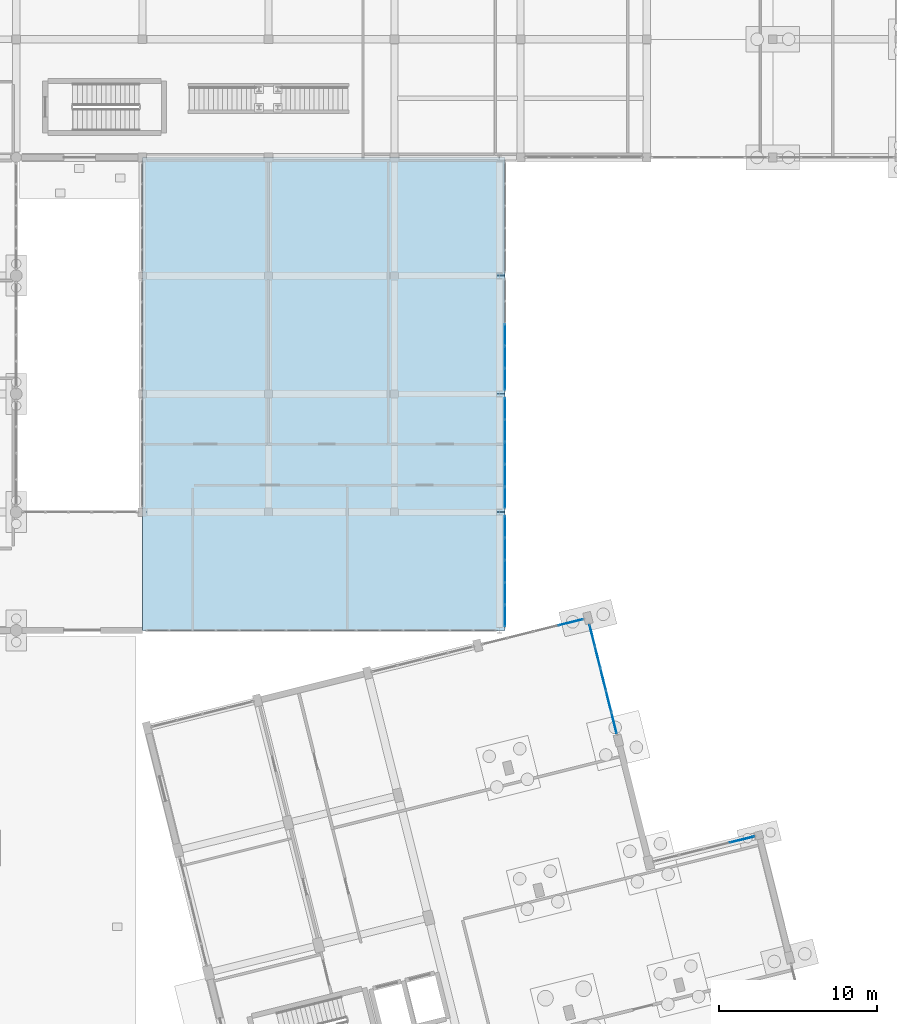
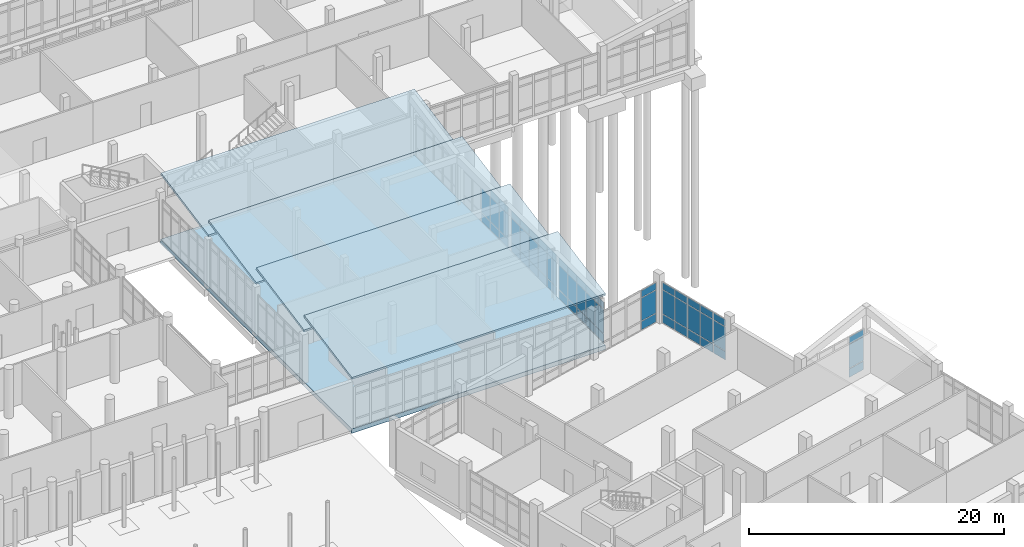
# One storey, part 143 of 173: 59 plates, 5 slabs, 6 elements without a shape of their own.
"""IFC4 building model written with IfcOpenShell, lengths in metres."""

from ifc_helpers import new_model, si_unit, direction, frame, origin, origin_2d, place, context, subcontext, project, spatial, polyline, rectangle, outline, extrude, material, layer, layer_set, type_object, element, aggregate, save


model = new_model("IFC4")

# Units and contexts
model_context = context("Model", 3, precision=1e-05, world=origin(), true_north=direction((0.0, 1.0)))
body_context = subcontext(model_context, "Body", "Model", "MODEL_VIEW")
ifc_project = project(units=[si_unit("LENGTHUNIT", "METRE"), si_unit("AREAUNIT", "SQUARE_METRE"), si_unit("VOLUMEUNIT", "CUBIC_METRE"), si_unit("PLANEANGLEUNIT", "RADIAN"), si_unit("MASSUNIT", "GRAM", prefix="KILO")], contexts=[model_context])

# Site, building, storey
site_placement = place(None, origin())
site = spatial("IfcSite", under=ifc_project, at=site_placement, CompositionType="ELEMENT")
building_placement = place(site_placement, origin())
building = spatial("IfcBuilding", under=site, at=building_placement, Name="Mawjan Specialist Oncology Clinic", CompositionType="ELEMENT")
storey_placement = place(building_placement, origin())
storey = spatial("IfcBuildingStorey", under=building, at=storey_placement, Name="L00", CompositionType="ELEMENT", Elevation=0.0)

# Curtain wall, plates
ifc_material_1 = material(Name="Unitised spectrally selective aluminium curtain wall", Category="aluminium")
ifc_layer_1 = layer(ifc_material_1, 0.179931640625, Name="Unitised spectrally selective aluminium curtain wall", Category="aluminium")
ifc_layer_set_1 = layer_set([ifc_layer_1], Name="Unitised spectrally selective aluminium curtain wall")
curtain_wall_type_1 = type_object("IfcCurtainWallType", Name="CW-19", PredefinedType="NOTDEFINED", material=ifc_layer_set_1)
curtain_wall_1_placement = place(storey_placement, origin())
curtain_wall_1 = element("IfcCurtainWall", 1, at=curtain_wall_1_placement, inside=storey, type_object=curtain_wall_type_1, Name="L00 Unitised Curtain Wall CW-L00-033", PredefinedType="NOTDEFINED")
ifc_material_2 = material(Name="Spectrally selective double low-E glazing", Category="glass")
ifc_layer_2 = layer(ifc_material_2, 0.035888671875, Name="Spectrally selective double low-E glazing", Category="glass")
ifc_layer_set_2 = layer_set([ifc_layer_2], Name="Spectrally selective double low-E glazing")
plate_type = type_object("IfcPlateType", Name="CW-P36", PredefinedType="CURTAIN_PANEL", material=ifc_layer_set_2)
plate_1_placement = place(storey_placement, frame((139.0, 64.550048828125, 0.06494140625), z_axis=(0.0, 0.0, 1.0), x_axis=(0.0, -1.0, 0.0)))
plate_1 = element("IfcPlate", 2, at=plate_1_placement, type_object=plate_type, Name="CW-19 panel 3.1", PredefinedType="CURTAIN_PANEL", context=body_context, shape_type="SweptSolid", body=[
    extrude(rectangle(XDim=1.35498046875, YDim=0.035888671875, at=origin_2d()), origin(), (0.0, 0.0, 1.0), 0.802490234375),
])
plate_2_placement = place(storey_placement, frame((139.0, 64.550048828125, 0.9326171875), z_axis=(0.0, 0.0, 1.0), x_axis=(0.0, -1.0, 0.0)))
plate_2 = element("IfcPlate", 3, at=plate_2_placement, type_object=plate_type, Name="CW-19 panel 3.2", PredefinedType="CURTAIN_PANEL", context=body_context, shape_type="SweptSolid", body=[
    extrude(rectangle(XDim=1.35498046875, YDim=0.035888671875, at=origin_2d()), origin(), (0.0, 0.0, 1.0), 2.302734375),
])
plate_3_placement = place(storey_placement, frame((139.0, 63.1298828125, 0.06494140625), z_axis=(0.0, 0.0, 1.0), x_axis=(0.0, -1.0, 0.0)))
plate_3 = element("IfcPlate", 4, at=plate_3_placement, type_object=plate_type, Name="CW-19 panel 4.1", PredefinedType="CURTAIN_PANEL", context=body_context, shape_type="SweptSolid", body=[
    extrude(rectangle(XDim=1.35498046875, YDim=0.035888671875, at=origin_2d()), origin(), (0.0, 0.0, 1.0), 0.802490234375),
])
plate_4_placement = place(storey_placement, frame((139.0, 63.1298828125, 0.9326171875), z_axis=(0.0, 0.0, 1.0), x_axis=(0.0, -1.0, 0.0)))
plate_4 = element("IfcPlate", 5, at=plate_4_placement, type_object=plate_type, Name="CW-19 panel 4.2", PredefinedType="CURTAIN_PANEL", context=body_context, shape_type="SweptSolid", body=[
    extrude(rectangle(XDim=1.35498046875, YDim=0.035888671875, at=origin_2d()), origin(), (0.0, 0.0, 1.0), 2.302734375),
])
plate_5_placement = place(storey_placement, frame((139.0, 63.1298828125, 3.30029296875), z_axis=(0.0, 0.0, 1.0), x_axis=(0.0, -1.0, 0.0)))
plate_5 = element("IfcPlate", 6, at=plate_5_placement, type_object=plate_type, Name="CW-19 panel 4.3", PredefinedType="CURTAIN_PANEL", context=body_context, shape_type="SweptSolid", body=[
    extrude(rectangle(XDim=1.35498046875, YDim=0.035888671875, at=origin_2d()), origin(), (0.0, 0.0, 1.0), 0.652587890625),
])
plate_6_placement = place(storey_placement, frame((139.0, 61.726318359375, 0.06494140625), z_axis=(0.0, 0.0, 1.0), x_axis=(0.0, -1.0, 0.0)))
plate_6 = element("IfcPlate", 7, at=plate_6_placement, type_object=plate_type, Name="CW-19 panel 5.1", PredefinedType="CURTAIN_PANEL", context=body_context, shape_type="SweptSolid", body=[
    extrude(rectangle(XDim=1.322509765625, YDim=0.035888671875, at=origin_2d()), origin(), (0.0, 0.0, 1.0), 0.802490234375),
])
plate_7_placement = place(storey_placement, frame((139.0, 61.726318359375, 0.9326171875), z_axis=(0.0, 0.0, 1.0), x_axis=(0.0, -1.0, 0.0)))
plate_7 = element("IfcPlate", 8, at=plate_7_placement, type_object=plate_type, Name="CW-19 panel 5.2", PredefinedType="CURTAIN_PANEL", context=body_context, shape_type="SweptSolid", body=[
    extrude(rectangle(XDim=1.322509765625, YDim=0.035888671875, at=origin_2d()), origin(), (0.0, 0.0, 1.0), 2.302734375),
])
plate_8_placement = place(storey_placement, frame((139.0, 61.726318359375, 3.30029296875), z_axis=(0.0, 0.0, 1.0), x_axis=(0.0, -1.0, 0.0)))
plate_8 = element("IfcPlate", 9, at=plate_8_placement, type_object=plate_type, Name="CW-19 panel 5.3", PredefinedType="CURTAIN_PANEL", context=body_context, shape_type="SweptSolid", body=[
    extrude(rectangle(XDim=1.322509765625, YDim=0.035888671875, at=origin_2d()), origin(), (0.0, 0.0, 1.0), 0.652587890625),
])
aggregate(curtain_wall_1, [plate_1, plate_2, plate_3, plate_4, plate_5, plate_6, plate_7, plate_8])

curtain_wall_2_placement = place(storey_placement, origin())
curtain_wall_2 = element("IfcCurtainWall", 10, at=curtain_wall_2_placement, inside=storey, type_object=curtain_wall_type_1, Name="L00 Unitised Curtain Wall CW-L00-034", PredefinedType="NOTDEFINED")
plate_9_placement = place(storey_placement, frame((139.0, 59.873779296875, 0.06494140625), z_axis=(0.0, 0.0, 1.0), x_axis=(0.0, -1.0, 0.0)))
plate_9 = element("IfcPlate", 11, at=plate_9_placement, type_object=plate_type, Name="CW-19 panel 1.1", PredefinedType="CURTAIN_PANEL", context=body_context, shape_type="SweptSolid", body=[
    extrude(rectangle(XDim=1.322509765625, YDim=0.035888671875, at=origin_2d()), origin(), (0.0, 0.0, 1.0), 0.802490234375),
])
plate_10_placement = place(storey_placement, frame((139.0, 59.873779296875, 0.9326171875), z_axis=(0.0, 0.0, 1.0), x_axis=(0.0, -1.0, 0.0)))
plate_10 = element("IfcPlate", 12, at=plate_10_placement, type_object=plate_type, Name="CW-19 panel 1.2", PredefinedType="CURTAIN_PANEL", context=body_context, shape_type="SweptSolid", body=[
    extrude(rectangle(XDim=1.322509765625, YDim=0.035888671875, at=origin_2d()), origin(), (0.0, 0.0, 1.0), 2.302734375),
])
plate_11_placement = place(storey_placement, frame((139.0, 59.873779296875, 3.30029296875), z_axis=(0.0, 0.0, 1.0), x_axis=(0.0, -1.0, 0.0)))
plate_11 = element("IfcPlate", 13, at=plate_11_placement, type_object=plate_type, Name="CW-19 panel 1.3", PredefinedType="CURTAIN_PANEL", context=body_context, shape_type="SweptSolid", body=[
    extrude(rectangle(XDim=1.322509765625, YDim=0.035888671875, at=origin_2d()), origin(), (0.0, 0.0, 1.0), 0.652587890625),
])
plate_12_placement = place(storey_placement, frame((139.0, 58.469970703125, 0.06494140625), z_axis=(0.0, 0.0, 1.0), x_axis=(0.0, -1.0, 0.0)))
plate_12 = element("IfcPlate", 14, at=plate_12_placement, type_object=plate_type, Name="CW-19 panel 2.1", PredefinedType="CURTAIN_PANEL", context=body_context, shape_type="SweptSolid", body=[
    extrude(rectangle(XDim=1.35498046875, YDim=0.035888671875, at=origin_2d()), origin(), (0.0, 0.0, 1.0), 0.802490234375),
])
plate_13_placement = place(storey_placement, frame((139.0, 58.469970703125, 0.9326171875), z_axis=(0.0, 0.0, 1.0), x_axis=(0.0, -1.0, 0.0)))
plate_13 = element("IfcPlate", 15, at=plate_13_placement, type_object=plate_type, Name="CW-19 panel 2.2", PredefinedType="CURTAIN_PANEL", context=body_context, shape_type="SweptSolid", body=[
    extrude(rectangle(XDim=1.35498046875, YDim=0.035888671875, at=origin_2d()), origin(), (0.0, 0.0, 1.0), 2.302734375),
])
plate_14_placement = place(storey_placement, frame((139.0, 58.469970703125, 3.30029296875), z_axis=(0.0, 0.0, 1.0), x_axis=(0.0, -1.0, 0.0)))
plate_14 = element("IfcPlate", 16, at=plate_14_placement, type_object=plate_type, Name="CW-19 panel 2.3", PredefinedType="CURTAIN_PANEL", context=body_context, shape_type="SweptSolid", body=[
    extrude(rectangle(XDim=1.35498046875, YDim=0.035888671875, at=origin_2d()), origin(), (0.0, 0.0, 1.0), 0.652587890625),
])
plate_15_placement = place(storey_placement, frame((139.0, 57.050048828125, 0.06494140625), z_axis=(0.0, 0.0, 1.0), x_axis=(0.0, -1.0, 0.0)))
plate_15 = element("IfcPlate", 17, at=plate_15_placement, type_object=plate_type, Name="CW-19 panel 3.1", PredefinedType="CURTAIN_PANEL", context=body_context, shape_type="SweptSolid", body=[
    extrude(rectangle(XDim=1.35498046875, YDim=0.035888671875, at=origin_2d()), origin(), (0.0, 0.0, 1.0), 0.802490234375),
])
plate_16_placement = place(storey_placement, frame((139.0, 57.050048828125, 0.9326171875), z_axis=(0.0, 0.0, 1.0), x_axis=(0.0, -1.0, 0.0)))
plate_16 = element("IfcPlate", 18, at=plate_16_placement, type_object=plate_type, Name="CW-19 panel 3.2", PredefinedType="CURTAIN_PANEL", context=body_context, shape_type="SweptSolid", body=[
    extrude(rectangle(XDim=1.35498046875, YDim=0.035888671875, at=origin_2d()), origin(), (0.0, 0.0, 1.0), 2.302734375),
])
plate_17_placement = place(storey_placement, frame((139.0, 57.050048828125, 3.30029296875), z_axis=(0.0, 0.0, 1.0), x_axis=(0.0, -1.0, 0.0)))
plate_17 = element("IfcPlate", 19, at=plate_17_placement, type_object=plate_type, Name="CW-19 panel 3.3", PredefinedType="CURTAIN_PANEL", context=body_context, shape_type="SweptSolid", body=[
    extrude(rectangle(XDim=1.35498046875, YDim=0.035888671875, at=origin_2d()), origin(), (0.0, 0.0, 1.0), 0.652587890625),
])
plate_18_placement = place(storey_placement, frame((139.0, 55.6298828125, 0.06494140625), z_axis=(0.0, 0.0, 1.0), x_axis=(0.0, -1.0, 0.0)))
plate_18 = element("IfcPlate", 20, at=plate_18_placement, type_object=plate_type, Name="CW-19 panel 4.1", PredefinedType="CURTAIN_PANEL", context=body_context, shape_type="SweptSolid", body=[
    extrude(rectangle(XDim=1.35498046875, YDim=0.035888671875, at=origin_2d()), origin(), (0.0, 0.0, 1.0), 0.802490234375),
])
plate_19_placement = place(storey_placement, frame((139.0, 55.6298828125, 0.9326171875), z_axis=(0.0, 0.0, 1.0), x_axis=(0.0, -1.0, 0.0)))
plate_19 = element("IfcPlate", 21, at=plate_19_placement, type_object=plate_type, Name="CW-19 panel 4.2", PredefinedType="CURTAIN_PANEL", context=body_context, shape_type="SweptSolid", body=[
    extrude(rectangle(XDim=1.35498046875, YDim=0.035888671875, at=origin_2d()), origin(), (0.0, 0.0, 1.0), 2.302734375),
])
plate_20_placement = place(storey_placement, frame((139.0, 55.6298828125, 3.30029296875), z_axis=(0.0, 0.0, 1.0), x_axis=(0.0, -1.0, 0.0)))
plate_20 = element("IfcPlate", 22, at=plate_20_placement, type_object=plate_type, Name="CW-19 panel 4.3", PredefinedType="CURTAIN_PANEL", context=body_context, shape_type="SweptSolid", body=[
    extrude(rectangle(XDim=1.35498046875, YDim=0.035888671875, at=origin_2d()), origin(), (0.0, 0.0, 1.0), 0.652587890625),
])
plate_21_placement = place(storey_placement, frame((139.0, 54.226318359375, 0.06494140625), z_axis=(0.0, 0.0, 1.0), x_axis=(0.0, -1.0, 0.0)))
plate_21 = element("IfcPlate", 23, at=plate_21_placement, type_object=plate_type, Name="CW-19 panel 5.1", PredefinedType="CURTAIN_PANEL", context=body_context, shape_type="SweptSolid", body=[
    extrude(rectangle(XDim=1.322509765625, YDim=0.035888671875, at=origin_2d()), origin(), (0.0, 0.0, 1.0), 0.802490234375),
])
plate_22_placement = place(storey_placement, frame((139.0, 54.226318359375, 0.9326171875), z_axis=(0.0, 0.0, 1.0), x_axis=(0.0, -1.0, 0.0)))
plate_22 = element("IfcPlate", 24, at=plate_22_placement, type_object=plate_type, Name="CW-19 panel 5.2", PredefinedType="CURTAIN_PANEL", context=body_context, shape_type="SweptSolid", body=[
    extrude(rectangle(XDim=1.322509765625, YDim=0.035888671875, at=origin_2d()), origin(), (0.0, 0.0, 1.0), 2.302734375),
])
plate_23_placement = place(storey_placement, frame((139.0, 54.226318359375, 3.30029296875), z_axis=(0.0, 0.0, 1.0), x_axis=(0.0, -1.0, 0.0)))
plate_23 = element("IfcPlate", 25, at=plate_23_placement, type_object=plate_type, Name="CW-19 panel 5.3", PredefinedType="CURTAIN_PANEL", context=body_context, shape_type="SweptSolid", body=[
    extrude(rectangle(XDim=1.322509765625, YDim=0.035888671875, at=origin_2d()), origin(), (0.0, 0.0, 1.0), 0.652587890625),
])
aggregate(curtain_wall_2, [plate_9, plate_10, plate_11, plate_12, plate_13, plate_14, plate_15, plate_16, plate_17, plate_18, plate_19, plate_20, plate_21, plate_22, plate_23])

curtain_wall_3_placement = place(storey_placement, origin())
curtain_wall_3 = element("IfcCurtainWall", 26, at=curtain_wall_3_placement, inside=storey, type_object=curtain_wall_type_1, Name="L00 Unitised Curtain Wall CW-L00-035", PredefinedType="NOTDEFINED")
plate_24_placement = place(storey_placement, frame((139.0, 52.373779296875, 0.06494140625), z_axis=(0.0, 0.0, 1.0), x_axis=(0.0, -1.0, 0.0)))
plate_24 = element("IfcPlate", 27, at=plate_24_placement, type_object=plate_type, Name="CW-19 panel 1.1", PredefinedType="CURTAIN_PANEL", context=body_context, shape_type="SweptSolid", body=[
    extrude(rectangle(XDim=1.322509765625, YDim=0.035888671875, at=origin_2d()), origin(), (0.0, 0.0, 1.0), 0.802490234375),
])
plate_25_placement = place(storey_placement, frame((139.0, 52.373779296875, 0.9326171875), z_axis=(0.0, 0.0, 1.0), x_axis=(0.0, -1.0, 0.0)))
plate_25 = element("IfcPlate", 28, at=plate_25_placement, type_object=plate_type, Name="CW-19 panel 1.2", PredefinedType="CURTAIN_PANEL", context=body_context, shape_type="SweptSolid", body=[
    extrude(rectangle(XDim=1.322509765625, YDim=0.035888671875, at=origin_2d()), origin(), (0.0, 0.0, 1.0), 2.302734375),
])
plate_26_placement = place(storey_placement, frame((139.0, 52.373779296875, 3.30029296875), z_axis=(0.0, 0.0, 1.0), x_axis=(0.0, -1.0, 0.0)))
plate_26 = element("IfcPlate", 29, at=plate_26_placement, type_object=plate_type, Name="CW-19 panel 1.3", PredefinedType="CURTAIN_PANEL", context=body_context, shape_type="SweptSolid", body=[
    extrude(rectangle(XDim=1.322509765625, YDim=0.035888671875, at=origin_2d()), origin(), (0.0, 0.0, 1.0), 0.652587890625),
])
plate_27_placement = place(storey_placement, frame((139.0, 50.969970703125, 0.06494140625), z_axis=(0.0, 0.0, 1.0), x_axis=(0.0, -1.0, 0.0)))
plate_27 = element("IfcPlate", 30, at=plate_27_placement, type_object=plate_type, Name="CW-19 panel 2.1", PredefinedType="CURTAIN_PANEL", context=body_context, shape_type="SweptSolid", body=[
    extrude(rectangle(XDim=1.35498046875, YDim=0.035888671875, at=origin_2d()), origin(), (0.0, 0.0, 1.0), 0.802490234375),
])
plate_28_placement = place(storey_placement, frame((139.0, 50.969970703125, 0.9326171875), z_axis=(0.0, 0.0, 1.0), x_axis=(0.0, -1.0, 0.0)))
plate_28 = element("IfcPlate", 31, at=plate_28_placement, type_object=plate_type, Name="CW-19 panel 2.2", PredefinedType="CURTAIN_PANEL", context=body_context, shape_type="SweptSolid", body=[
    extrude(rectangle(XDim=1.35498046875, YDim=0.035888671875, at=origin_2d()), origin(), (0.0, 0.0, 1.0), 2.302734375),
])
plate_29_placement = place(storey_placement, frame((139.0, 50.969970703125, 3.30029296875), z_axis=(0.0, 0.0, 1.0), x_axis=(0.0, -1.0, 0.0)))
plate_29 = element("IfcPlate", 32, at=plate_29_placement, type_object=plate_type, Name="CW-19 panel 2.3", PredefinedType="CURTAIN_PANEL", context=body_context, shape_type="SweptSolid", body=[
    extrude(rectangle(XDim=1.35498046875, YDim=0.035888671875, at=origin_2d()), origin(), (0.0, 0.0, 1.0), 0.652587890625),
])
plate_30_placement = place(storey_placement, frame((139.0, 49.550048828125, 0.06494140625), z_axis=(0.0, 0.0, 1.0), x_axis=(0.0, -1.0, 0.0)))
plate_30 = element("IfcPlate", 33, at=plate_30_placement, type_object=plate_type, Name="CW-19 panel 3.1", PredefinedType="CURTAIN_PANEL", context=body_context, shape_type="SweptSolid", body=[
    extrude(rectangle(XDim=1.35498046875, YDim=0.035888671875, at=origin_2d()), origin(), (0.0, 0.0, 1.0), 0.802490234375),
])
plate_31_placement = place(storey_placement, frame((139.0, 49.550048828125, 0.9326171875), z_axis=(0.0, 0.0, 1.0), x_axis=(0.0, -1.0, 0.0)))
plate_31 = element("IfcPlate", 34, at=plate_31_placement, type_object=plate_type, Name="CW-19 panel 3.2", PredefinedType="CURTAIN_PANEL", context=body_context, shape_type="SweptSolid", body=[
    extrude(rectangle(XDim=1.35498046875, YDim=0.035888671875, at=origin_2d()), origin(), (0.0, 0.0, 1.0), 2.302734375),
])
plate_32_placement = place(storey_placement, frame((139.0, 49.550048828125, 3.30029296875), z_axis=(0.0, 0.0, 1.0), x_axis=(0.0, -1.0, 0.0)))
plate_32 = element("IfcPlate", 35, at=plate_32_placement, type_object=plate_type, Name="CW-19 panel 3.3", PredefinedType="CURTAIN_PANEL", context=body_context, shape_type="SweptSolid", body=[
    extrude(rectangle(XDim=1.35498046875, YDim=0.035888671875, at=origin_2d()), origin(), (0.0, 0.0, 1.0), 0.652587890625),
])
plate_33_placement = place(storey_placement, frame((139.0, 48.1298828125, 0.06494140625), z_axis=(0.0, 0.0, 1.0), x_axis=(0.0, -1.0, 0.0)))
plate_33 = element("IfcPlate", 36, at=plate_33_placement, type_object=plate_type, Name="CW-19 panel 4.1", PredefinedType="CURTAIN_PANEL", context=body_context, shape_type="SweptSolid", body=[
    extrude(rectangle(XDim=1.35498046875, YDim=0.035888671875, at=origin_2d()), origin(), (0.0, 0.0, 1.0), 0.802490234375),
])
plate_34_placement = place(storey_placement, frame((139.0, 48.1298828125, 0.9326171875), z_axis=(0.0, 0.0, 1.0), x_axis=(0.0, -1.0, 0.0)))
plate_34 = element("IfcPlate", 37, at=plate_34_placement, type_object=plate_type, Name="CW-19 panel 4.2", PredefinedType="CURTAIN_PANEL", context=body_context, shape_type="SweptSolid", body=[
    extrude(rectangle(XDim=1.35498046875, YDim=0.035888671875, at=origin_2d()), origin(), (0.0, 0.0, 1.0), 2.302734375),
])
plate_35_placement = place(storey_placement, frame((139.0, 48.1298828125, 3.30029296875), z_axis=(0.0, 0.0, 1.0), x_axis=(0.0, -1.0, 0.0)))
plate_35 = element("IfcPlate", 38, at=plate_35_placement, type_object=plate_type, Name="CW-19 panel 4.3", PredefinedType="CURTAIN_PANEL", context=body_context, shape_type="SweptSolid", body=[
    extrude(rectangle(XDim=1.35498046875, YDim=0.035888671875, at=origin_2d()), origin(), (0.0, 0.0, 1.0), 0.652587890625),
])
plate_36_placement = place(storey_placement, frame((139.0, 46.726318359375, 0.06494140625), z_axis=(0.0, 0.0, 1.0), x_axis=(0.0, -1.0, 0.0)))
plate_36 = element("IfcPlate", 39, at=plate_36_placement, type_object=plate_type, Name="CW-19 panel 5.1", PredefinedType="CURTAIN_PANEL", context=body_context, shape_type="SweptSolid", body=[
    extrude(rectangle(XDim=1.322509765625, YDim=0.035888671875, at=origin_2d()), origin(), (0.0, 0.0, 1.0), 0.802490234375),
])
plate_37_placement = place(storey_placement, frame((139.0, 46.726318359375, 0.9326171875), z_axis=(0.0, 0.0, 1.0), x_axis=(0.0, -1.0, 0.0)))
plate_37 = element("IfcPlate", 40, at=plate_37_placement, type_object=plate_type, Name="CW-19 panel 5.2", PredefinedType="CURTAIN_PANEL", context=body_context, shape_type="SweptSolid", body=[
    extrude(rectangle(XDim=1.322509765625, YDim=0.035888671875, at=origin_2d()), origin(), (0.0, 0.0, 1.0), 2.302734375),
])
plate_38_placement = place(storey_placement, frame((139.0, 46.726318359375, 3.30029296875), z_axis=(0.0, 0.0, 1.0), x_axis=(0.0, -1.0, 0.0)))
plate_38 = element("IfcPlate", 41, at=plate_38_placement, type_object=plate_type, Name="CW-19 panel 5.3", PredefinedType="CURTAIN_PANEL", context=body_context, shape_type="SweptSolid", body=[
    extrude(rectangle(XDim=1.322509765625, YDim=0.035888671875, at=origin_2d()), origin(), (0.0, 0.0, 1.0), 0.652587890625),
])
aggregate(curtain_wall_3, [plate_24, plate_25, plate_26, plate_27, plate_28, plate_29, plate_30, plate_31, plate_32, plate_33, plate_34, plate_35, plate_36, plate_37, plate_38])

ifc_material_3 = material(Name="Unitised spectrally selective aluminium curtain wall", Category="aluminium")
ifc_layer_3 = layer(ifc_material_3, 0.179931640625, Name="Unitised spectrally selective aluminium curtain wall", Category="aluminium")
ifc_layer_set_3 = layer_set([ifc_layer_3], Name="Unitised spectrally selective aluminium curtain wall")
curtain_wall_type_2 = type_object("IfcCurtainWallType", Name="CW-40", PredefinedType="NOTDEFINED", material=ifc_layer_set_3)
curtain_wall_4_placement = place(storey_placement, origin())
curtain_wall_4 = element("IfcCurtainWall", 42, at=curtain_wall_4_placement, inside=storey, type_object=curtain_wall_type_2, Name="L00 Unitised Curtain Wall CW-L00-083", PredefinedType="NOTDEFINED")
plate_39_placement = place(storey_placement, frame((143.18212890625, 46.30859375, 0.06494140625), z_axis=(0.0, 0.0, 1.0), x_axis=(0.970295715378, 0.241921939309, 0.0)))
plate_39 = element("IfcPlate", 43, at=plate_39_placement, type_object=plate_type, Name="CW-40 panel 4.1", PredefinedType="CURTAIN_PANEL", context=body_context, shape_type="SweptSolid", body=[
    extrude(rectangle(XDim=1.5673828125, YDim=0.035888671875, at=origin_2d()), origin(), (0.0, 0.0, 1.0), 0.802490234375),
])
plate_40_placement = place(storey_placement, frame((143.18212890625, 46.30859375, 0.9326171875), z_axis=(0.0, 0.0, 1.0), x_axis=(0.970295715378, 0.241921939309, 0.0)))
plate_40 = element("IfcPlate", 44, at=plate_40_placement, type_object=plate_type, Name="CW-40 panel 4.2", PredefinedType="CURTAIN_PANEL", context=body_context, shape_type="SweptSolid", body=[
    extrude(rectangle(XDim=1.5673828125, YDim=0.035888671875, at=origin_2d()), origin(), (0.0, 0.0, 1.0), 2.169921875),
])
plate_41_placement = place(storey_placement, frame((143.18212890625, 46.30859375, 3.16748046875), z_axis=(0.0, 0.0, 1.0), x_axis=(0.970295715378, 0.241921939309, 0.0)))
plate_41 = element("IfcPlate", 45, at=plate_41_placement, type_object=plate_type, Name="CW-40 panel 4.3", PredefinedType="CURTAIN_PANEL", context=body_context, shape_type="SweptSolid", body=[
    extrude(rectangle(XDim=1.5673828125, YDim=0.035888671875, at=origin_2d()), origin(), (0.0, 0.0, 1.0), 0.652587890625),
])
aggregate(curtain_wall_4, [plate_39, plate_40, plate_41])

ifc_material_4 = material(Name="Unitised spectrally selective aluminium curtain wall", Category="aluminium")
ifc_layer_4 = layer(ifc_material_4, 0.179931640625, Name="Unitised spectrally selective aluminium curtain wall", Category="aluminium")
ifc_layer_set_4 = layer_set([ifc_layer_4], Name="Unitised spectrally selective aluminium curtain wall")
curtain_wall_type_3 = type_object("IfcCurtainWallType", Name="CW-34", PredefinedType="NOTDEFINED", material=ifc_layer_set_4)
curtain_wall_5_placement = place(storey_placement, origin())
curtain_wall_5 = element("IfcCurtainWall", 46, at=curtain_wall_5_placement, inside=storey, type_object=curtain_wall_type_3, Name="L00 Unitised Curtain Wall CW-L00-084", PredefinedType="NOTDEFINED")
plate_42_placement = place(storey_placement, frame((144.54150390625, 45.48046875, 0.06494140625), z_axis=(0.0, 0.0, 1.0), x_axis=(0.241921919004, -0.970295720441, 0.0)))
plate_42 = element("IfcPlate", 47, at=plate_42_placement, type_object=plate_type, Name="CW-34 panel 1.1", PredefinedType="CURTAIN_PANEL", context=body_context, shape_type="SweptSolid", body=[
    extrude(rectangle(XDim=1.344482421875, YDim=0.035888671875, at=origin_2d()), origin(), (0.0, 0.0, 1.0), 0.802490234375),
])
plate_43_placement = place(storey_placement, frame((144.54150390625, 45.48046875, 0.932373046875), z_axis=(0.0, 0.0, 1.0), x_axis=(0.241921919004, -0.970295720441, 0.0)))
plate_43 = element("IfcPlate", 48, at=plate_43_placement, type_object=plate_type, Name="CW-34 panel 1.2", PredefinedType="CURTAIN_PANEL", context=body_context, shape_type="SweptSolid", body=[
    extrude(rectangle(XDim=1.344482421875, YDim=0.035888671875, at=origin_2d()), origin(), (0.0, 0.0, 1.0), 2.27001953125),
])
plate_44_placement = place(storey_placement, frame((144.54150390625, 45.48046875, 3.267578125), z_axis=(0.0, 0.0, 1.0), x_axis=(0.241921919004, -0.970295720441, 0.0)))
plate_44 = element("IfcPlate", 49, at=plate_44_placement, type_object=plate_type, Name="CW-34 panel 1.3", PredefinedType="CURTAIN_PANEL", context=body_context, shape_type="SweptSolid", body=[
    extrude(rectangle(XDim=1.344482421875, YDim=0.035888671875, at=origin_2d()), origin(), (0.0, 0.0, 1.0), 0.652587890625),
])
plate_45_placement = place(storey_placement, frame((144.886474609375, 44.09716796875, 0.06494140625), z_axis=(0.0, 0.0, 1.0), x_axis=(0.241921919004, -0.970295720441, 0.0)))
plate_45 = element("IfcPlate", 50, at=plate_45_placement, type_object=plate_type, Name="CW-34 panel 2.1", PredefinedType="CURTAIN_PANEL", context=body_context, shape_type="SweptSolid", body=[
    extrude(rectangle(XDim=1.376953125, YDim=0.035888671875, at=origin_2d()), origin(), (0.0, 0.0, 1.0), 0.802490234375),
])
plate_46_placement = place(storey_placement, frame((144.886474609375, 44.09716796875, 0.932373046875), z_axis=(0.0, 0.0, 1.0), x_axis=(0.241921919004, -0.970295720441, 0.0)))
plate_46 = element("IfcPlate", 51, at=plate_46_placement, type_object=plate_type, Name="CW-34 panel 2.2", PredefinedType="CURTAIN_PANEL", context=body_context, shape_type="SweptSolid", body=[
    extrude(rectangle(XDim=1.376953125, YDim=0.035888671875, at=origin_2d()), origin(), (0.0, 0.0, 1.0), 2.27001953125),
])
plate_47_placement = place(storey_placement, frame((144.886474609375, 44.09716796875, 3.267578125), z_axis=(0.0, 0.0, 1.0), x_axis=(0.241921919004, -0.970295720441, 0.0)))
plate_47 = element("IfcPlate", 52, at=plate_47_placement, type_object=plate_type, Name="CW-34 panel 2.3", PredefinedType="CURTAIN_PANEL", context=body_context, shape_type="SweptSolid", body=[
    extrude(rectangle(XDim=1.376953125, YDim=0.035888671875, at=origin_2d()), origin(), (0.0, 0.0, 1.0), 0.652587890625),
])
plate_48_placement = place(storey_placement, frame((145.2353515625, 42.697998046875, 0.06494140625), z_axis=(0.0, 0.0, 1.0), x_axis=(0.241921919004, -0.970295720441, 0.0)))
plate_48 = element("IfcPlate", 53, at=plate_48_placement, type_object=plate_type, Name="CW-34 panel 3.1", PredefinedType="CURTAIN_PANEL", context=body_context, shape_type="SweptSolid", body=[
    extrude(rectangle(XDim=1.376953125, YDim=0.035888671875, at=origin_2d()), origin(), (0.0, 0.0, 1.0), 0.802490234375),
])
plate_49_placement = place(storey_placement, frame((145.2353515625, 42.697998046875, 0.932373046875), z_axis=(0.0, 0.0, 1.0), x_axis=(0.241921919004, -0.970295720441, 0.0)))
plate_49 = element("IfcPlate", 54, at=plate_49_placement, type_object=plate_type, Name="CW-34 panel 3.2", PredefinedType="CURTAIN_PANEL", context=body_context, shape_type="SweptSolid", body=[
    extrude(rectangle(XDim=1.376953125, YDim=0.035888671875, at=origin_2d()), origin(), (0.0, 0.0, 1.0), 2.27001953125),
])
plate_50_placement = place(storey_placement, frame((145.2353515625, 42.697998046875, 3.267578125), z_axis=(0.0, 0.0, 1.0), x_axis=(0.241921919004, -0.970295720441, 0.0)))
plate_50 = element("IfcPlate", 55, at=plate_50_placement, type_object=plate_type, Name="CW-34 panel 3.3", PredefinedType="CURTAIN_PANEL", context=body_context, shape_type="SweptSolid", body=[
    extrude(rectangle(XDim=1.376953125, YDim=0.035888671875, at=origin_2d()), origin(), (0.0, 0.0, 1.0), 0.652587890625),
])
plate_51_placement = place(storey_placement, frame((145.584228515625, 41.298828125, 0.06494140625), z_axis=(0.0, 0.0, 1.0), x_axis=(0.241921919004, -0.970295720441, 0.0)))
plate_51 = element("IfcPlate", 56, at=plate_51_placement, type_object=plate_type, Name="CW-34 panel 4.1", PredefinedType="CURTAIN_PANEL", context=body_context, shape_type="SweptSolid", body=[
    extrude(rectangle(XDim=1.376953125, YDim=0.035888671875, at=origin_2d()), origin(), (0.0, 0.0, 1.0), 0.802490234375),
])
plate_52_placement = place(storey_placement, frame((145.584228515625, 41.298828125, 0.932373046875), z_axis=(0.0, 0.0, 1.0), x_axis=(0.241921919004, -0.970295720441, 0.0)))
plate_52 = element("IfcPlate", 57, at=plate_52_placement, type_object=plate_type, Name="CW-34 panel 4.2", PredefinedType="CURTAIN_PANEL", context=body_context, shape_type="SweptSolid", body=[
    extrude(rectangle(XDim=1.376953125, YDim=0.035888671875, at=origin_2d()), origin(), (0.0, 0.0, 1.0), 2.27001953125),
])
plate_53_placement = place(storey_placement, frame((145.584228515625, 41.298828125, 3.267578125), z_axis=(0.0, 0.0, 1.0), x_axis=(0.241921919004, -0.970295720441, 0.0)))
plate_53 = element("IfcPlate", 58, at=plate_53_placement, type_object=plate_type, Name="CW-34 panel 4.3", PredefinedType="CURTAIN_PANEL", context=body_context, shape_type="SweptSolid", body=[
    extrude(rectangle(XDim=1.376953125, YDim=0.035888671875, at=origin_2d()), origin(), (0.0, 0.0, 1.0), 0.652587890625),
])
plate_54_placement = place(storey_placement, frame((145.92919921875, 39.91552734375, 0.06494140625), z_axis=(0.0, 0.0, 1.0), x_axis=(0.241921919004, -0.970295720441, 0.0)))
plate_54 = element("IfcPlate", 59, at=plate_54_placement, type_object=plate_type, Name="CW-34 panel 5.1", PredefinedType="CURTAIN_PANEL", context=body_context, shape_type="SweptSolid", body=[
    extrude(rectangle(XDim=1.344482421875, YDim=0.035888671875, at=origin_2d()), origin(), (0.0, 0.0, 1.0), 0.802490234375),
])
plate_55_placement = place(storey_placement, frame((145.92919921875, 39.91552734375, 0.932373046875), z_axis=(0.0, 0.0, 1.0), x_axis=(0.241921919004, -0.970295720441, 0.0)))
plate_55 = element("IfcPlate", 60, at=plate_55_placement, type_object=plate_type, Name="CW-34 panel 5.2", PredefinedType="CURTAIN_PANEL", context=body_context, shape_type="SweptSolid", body=[
    extrude(rectangle(XDim=1.344482421875, YDim=0.035888671875, at=origin_2d()), origin(), (0.0, 0.0, 1.0), 2.27001953125),
])
plate_56_placement = place(storey_placement, frame((145.92919921875, 39.91552734375, 3.267578125), z_axis=(0.0, 0.0, 1.0), x_axis=(0.241921919004, -0.970295720441, 0.0)))
plate_56 = element("IfcPlate", 61, at=plate_56_placement, type_object=plate_type, Name="CW-34 panel 5.3", PredefinedType="CURTAIN_PANEL", context=body_context, shape_type="SweptSolid", body=[
    extrude(rectangle(XDim=1.344482421875, YDim=0.035888671875, at=origin_2d()), origin(), (0.0, 0.0, 1.0), 0.652587890625),
])
aggregate(curtain_wall_5, [plate_42, plate_43, plate_44, plate_45, plate_46, plate_47, plate_48, plate_49, plate_50, plate_51, plate_52, plate_53, plate_54, plate_55, plate_56])

ifc_material_5 = material(Name="Unitised spectrally selective aluminium curtain wall", Category="aluminium")
ifc_layer_5 = layer(ifc_material_5, 0.179931640625, Name="Unitised spectrally selective aluminium curtain wall", Category="aluminium")
ifc_layer_set_5 = layer_set([ifc_layer_5], Name="Unitised spectrally selective aluminium curtain wall")
curtain_wall_type_4 = type_object("IfcCurtainWallType", Name="CW-41", PredefinedType="NOTDEFINED", material=ifc_layer_set_5)
curtain_wall_6_placement = place(storey_placement, origin())
curtain_wall_6 = element("IfcCurtainWall", 62, at=curtain_wall_6_placement, inside=storey, type_object=curtain_wall_type_4, Name="L00 Unitised Curtain Wall CW-L00-085", PredefinedType="NOTDEFINED")
plate_57_placement = place(storey_placement, frame((154.0419921875, 32.5263671875, 0.06494140625), z_axis=(0.0, 0.0, 1.0), x_axis=(0.97029571713, 0.241921932281, 0.0)))
plate_57 = element("IfcPlate", 63, at=plate_57_placement, type_object=plate_type, Name="CW-41 panel 4.1", PredefinedType="CURTAIN_PANEL", context=body_context, shape_type="SweptSolid", body=[
    extrude(rectangle(XDim=1.561279296875, YDim=0.035888671875, at=origin_2d()), origin(), (0.0, 0.0, 1.0), 0.802490234375),
])
plate_58_placement = place(storey_placement, frame((154.0419921875, 32.5263671875, 0.932373046875), z_axis=(0.0, 0.0, 1.0), x_axis=(0.97029571713, 0.241921932281, 0.0)))
plate_58 = element("IfcPlate", 64, at=plate_58_placement, type_object=plate_type, Name="CW-41 panel 4.2", PredefinedType="CURTAIN_PANEL", context=body_context, shape_type="SweptSolid", body=[
    extrude(rectangle(XDim=1.561279296875, YDim=0.035888671875, at=origin_2d()), origin(), (0.0, 0.0, 1.0), 2.27001953125),
])
plate_59_placement = place(storey_placement, frame((154.0419921875, 32.5263671875, 3.267578125), z_axis=(0.0, 0.0, 1.0), x_axis=(0.97029571713, 0.241921932281, 0.0)))
plate_59 = element("IfcPlate", 65, at=plate_59_placement, type_object=plate_type, Name="CW-41 panel 4.3", PredefinedType="CURTAIN_PANEL", context=body_context, shape_type="SweptSolid", body=[
    extrude(rectangle(XDim=1.561279296875, YDim=0.035888671875, at=origin_2d()), origin(), (0.0, 0.0, 1.0), 0.652587890625),
])
aggregate(curtain_wall_6, [plate_57, plate_58, plate_59])

# Slabs
ifc_material_6 = material(Name="Concrete C40/50", Category="concrete")
ifc_layer_6 = layer(ifc_material_6, 0.419921875, Name="Concrete C40/50", Category="concrete")
ifc_layer_set_6 = layer_set([ifc_layer_6], Name="Concrete C40/50")
slab_type_1 = type_object("IfcSlabType", Name="FS-420F", PredefinedType="FLOOR", material=ifc_layer_set_6)
slab_1_placement = place(storey_placement, frame((0.0, 0.0, -0.419921875)))
element("IfcSlab", 66, at=slab_1_placement, inside=storey, type_object=slab_type_1, Name="L00 Research and Teaching Wing Slab SLB-LNK-L00", PredefinedType="FLOOR", context=body_context, shape_type="SweptSolid", body=[
    extrude(outline(polyline([(116.0, 45.800048828125), (139.0, 45.800048828125), (139.0, 75.800048828125), (116.0, 75.800048828125), (116.0, 45.800048828125)])), origin(), (0.0, 0.0, 1.0), 0.419921875),
])
ifc_material_7 = material(Name="Concrete C35/45", Category="concrete")
ifc_layer_7 = layer(ifc_material_7, 0.219970703125, Name="Concrete C35/45", Category="concrete")
ifc_layer_set_7 = layer_set([ifc_layer_7], Name="Concrete C35/45")
slab_type_2 = type_object("IfcSlabType", Name="RF-SLP220", PredefinedType="ROOF", material=ifc_layer_set_7)
slab_2_placement = place(storey_placement, frame((116.02001953125, 45.800048828125, 4.929931640625), z_axis=(0.0, -0.187556405383, 0.9822538342), x_axis=(1.0, 0.0, 0.0)))
element("IfcSlab", 67, at=slab_2_placement, inside=storey, type_object=slab_type_2, Name="East Clinical Link Sawtooth Roof Bay 1", PredefinedType="ROOF", context=body_context, shape_type="SweptSolid", body=[
    extrude(outline(polyline([(0.0, 0.0), (22.97998046875, 0.0), (22.97998046875, 7.625310254429449), (0.0, 7.625310254429449), (0.0, 0.0)])), origin(), (0.0, 0.0, -1.0), 0.219970703125),
])
for number, where, z_axis, x_axis, name in (
    (68, (116.02001953125, 53.31005859375, 4.929931640625), (0.0, -0.187798548502, 0.982207567259), (1.0, 0.0, 0.0), "East Clinical Link Sawtooth Roof Bay 2"),
    (69, (116.02001953125, 60.81005859375, 4.929931640625), (0.0, -0.187798548502, 0.982207567259), (1.0, 0.0, 0.0), "East Clinical Link Sawtooth Roof Bay 3"),
):
    element("IfcSlab", number, at=place(storey_placement, frame(where, z_axis=z_axis, x_axis=x_axis)), inside=storey, type_object=slab_type_2, Name=name, PredefinedType="ROOF", context=body_context, shape_type="SweptSolid", body=[
        extrude(outline(polyline([(0.0, 0.0), (22.97998046875, 0.0), (22.97998046875, 7.615478355176088), (0.0, 7.615478355176088), (0.0, 0.0)])), origin(), (0.0, 0.0, -1.0), 0.219970703125),
    ])
slab_3_placement = place(storey_placement, frame((116.02001953125, 68.31005859375, 4.929931640625), z_axis=(0.0, -0.188041306191, 0.982161120777), x_axis=(1.0, 0.0, 0.0)))
element("IfcSlab", 70, at=slab_3_placement, inside=storey, type_object=slab_type_2, Name="East Clinical Link Sawtooth Roof Bay 4", PredefinedType="ROOF", context=body_context, shape_type="SweptSolid", body=[
    extrude(outline(polyline([(0.0, 0.0), (22.97998046875, 0.0), (22.97998046875, 7.605646919941778), (0.0, 7.605646919941778), (0.0, 0.0)])), origin(), (0.0, 0.0, -1.0), 0.219970703125),
])

save(model, "model.ifc")
